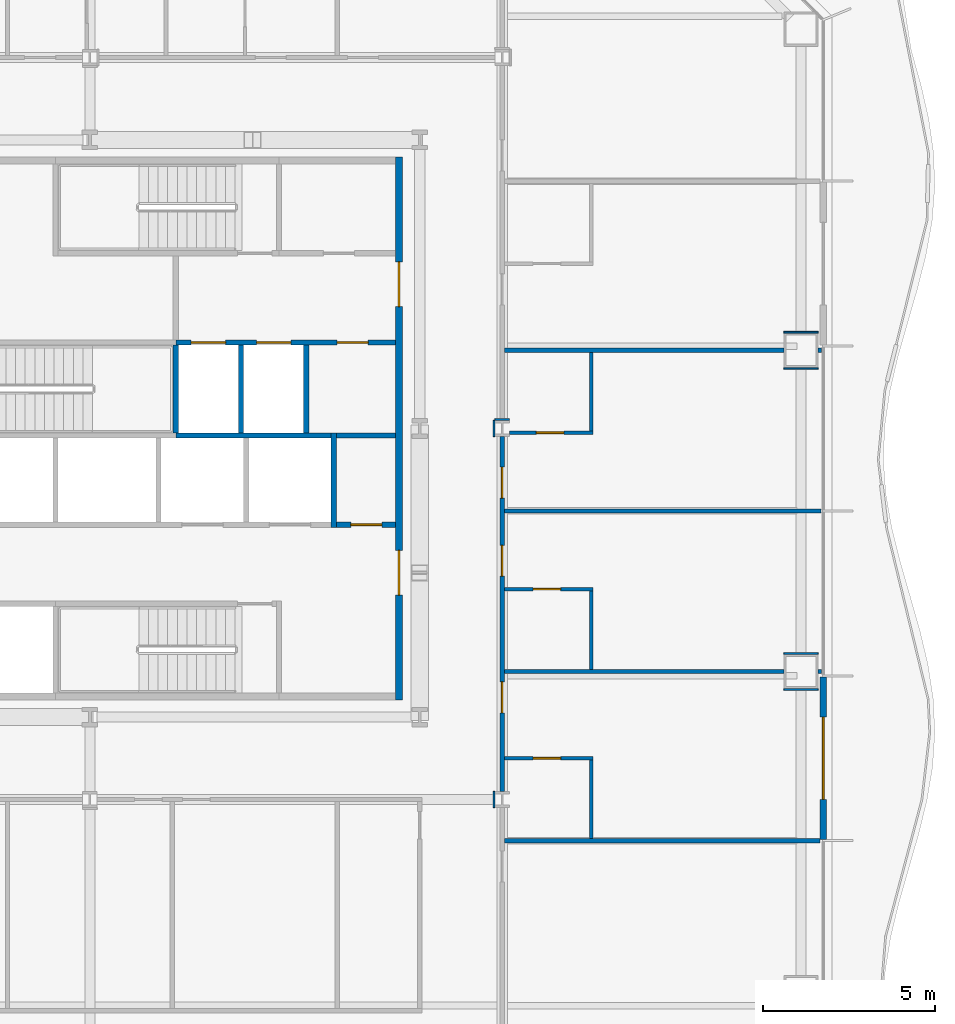
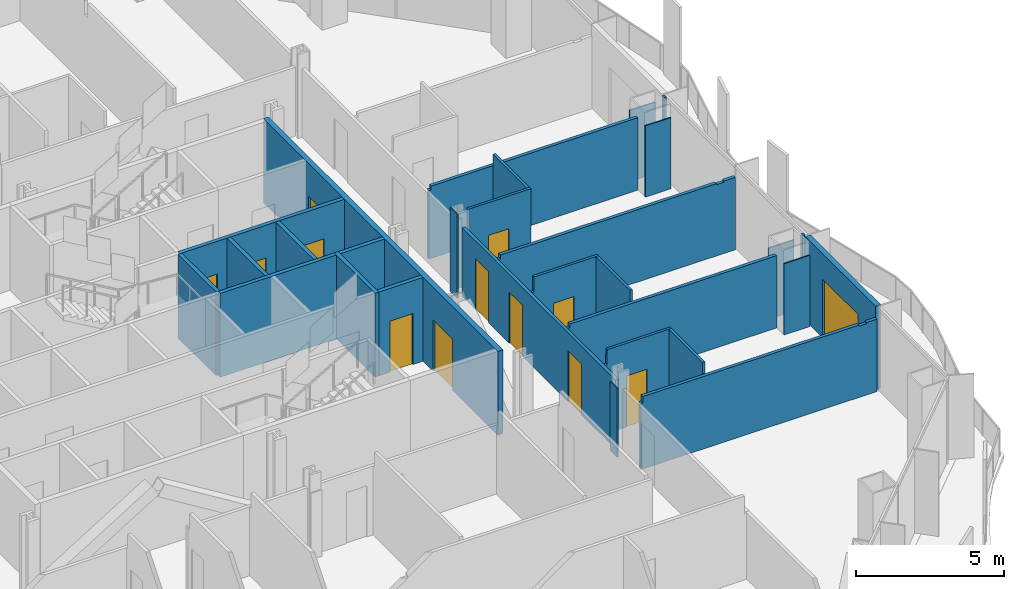
# One storey, part 11 of 21: 30 walls, 13 doors, 13 openings.
"""IFC4 building model written with IfcOpenShell, lengths in metres."""

from ifc_helpers import new_model, si_unit, direction, frame, frame_2d, origin, place, context, subcontext, project, spatial, polyline, rectangle, outline, extrude, material, layer, layer_set, type_object, element, fill, save


model = new_model("IFC4")

# Units and contexts
model_context = context("Model", 3, precision=1e-05, world=origin(), true_north=direction((0.0, 1.0)))
body_context = subcontext(model_context, "Body", "Model", "MODEL_VIEW")
ifc_project = project(units=[si_unit("LENGTHUNIT", "METRE"), si_unit("AREAUNIT", "SQUARE_METRE"), si_unit("VOLUMEUNIT", "CUBIC_METRE"), si_unit("PLANEANGLEUNIT", "RADIAN"), si_unit("MASSUNIT", "GRAM", prefix="KILO")], contexts=[model_context])

# Site, building, storey
site_placement = place(None, origin())
site = spatial("IfcSite", under=ifc_project, at=site_placement, CompositionType="ELEMENT")
building_placement = place(site_placement, origin())
building = spatial("IfcBuilding", under=site, at=building_placement, Name="Cairn Pilgrim Tower", CompositionType="ELEMENT")
storey_placement = place(building_placement, frame((0.0, 0.0, 58.199951171875)))
storey = spatial("IfcBuildingStorey", under=building, at=storey_placement, Name="L12", CompositionType="ELEMENT", Elevation=58.199951171875)

# Wall, opening, door
ifc_material_1 = material(Name="Bronze anodised aluminium insulated sandwich panel with mineral wool fill", Category="aluminium")
ifc_layer_1 = layer(ifc_material_1, 0.199951171875)
ifc_layer_set_1 = layer_set([ifc_layer_1], Name="BRONZE INFILL FRAME WALL 200")
wall_type_1 = type_object("IfcWallType", Name="BRONZE INFILL FRAME WALL 200", PredefinedType="NOTDEFINED", material=ifc_layer_set_1)
wall_1_placement = place(storey_placement, frame((28.550048828125, -9.570068359375, 0.0), z_axis=(0.0, 0.0, 1.0), x_axis=(0.0, 1.0, 0.0)))
wall_1 = element("IfcWall", 1, at=wall_1_placement, inside=storey, type_object=wall_type_1, Name="Bronze infill frame wall IW-E2", PredefinedType="NOTDEFINED", context=body_context, shape_type="SweptSolid", body=[
    extrude(rectangle(XDim=4.739990234375, YDim=0.199951171875, at=frame_2d((2.3701171875, 0.0))), origin(), (0.0, 0.0, 1.0), 3.449951171875),
])
opening_1_placement = place(wall_1_placement, frame((1.169921875, 0.0, 0.0)))
opening_1 = element("IfcOpeningElement", 2, at=opening_1_placement, cuts=wall_1, Name="Opening 1223B", PredefinedType="OPENING", context=body_context, shape_type="SweptSolid", body=[
    extrude(rectangle(XDim=2.39990234375, YDim=2.39990234375, at=frame_2d((1.199951171875, 1.199951171875))), frame((0.0, 0.10986328125, 0.0), z_axis=(0.0, -1.0, 0.0), x_axis=(1.0, 0.0, 0.0)), (0.0, 0.0, 1.0), 0.219970703125),
])
ifc_material_2 = material(Name="Bronze anodised aluminium frame with tinted low-E glass", Category="aluminium")
door_type_1 = type_object("IfcDoorType", Name="BALCONY SLIDING DOOR 2400x2400", OperationType="DOUBLE_DOOR_SLIDING", PredefinedType="DOOR", material=ifc_material_2)
door_1_placement = place(opening_1_placement, origin())
door_1 = element("IfcDoor", 3, at=door_1_placement, inside=storey, type_object=door_type_1, Name="Balcony sliding door 1223B", OperationType="SINGLE_SWING_LEFT", OverallHeight=2.39990234375, OverallWidth=2.39990234375, PredefinedType="DOOR", context=body_context, shape_type="SweptSolid", body=[
    extrude(rectangle(XDim=2.39990234375, YDim=2.39990234375, at=frame_2d((1.199951171875, 1.199951171875))), frame((0.0, 0.02490234375, 0.0), z_axis=(0.0, -1.0, 0.0), x_axis=(1.0, 0.0, 0.0)), (0.0, 0.0, 1.0), 0.050048828125),
])
fill(opening_1, door_1)

# Wall, openings, doors
ifc_material_3 = material(Name="Concrete C32/40", Category="concrete")
ifc_layer_2 = layer(ifc_material_3, 0.199951171875)
ifc_layer_set_2 = layer_set([ifc_layer_2], Name="CORE OUTER WALL 200 EI 120")
wall_type_2 = type_object("IfcWallType", Name="CORE OUTER WALL 200 EI 120", PredefinedType="SOLIDWALL", material=ifc_layer_set_2)
wall_2_placement = place(storey_placement, frame((16.199951171875, -5.5, 0.0), z_axis=(0.0, 0.0, 1.0), x_axis=(0.0, 1.0, 0.0)))
wall_2 = element("IfcWall", 4, at=wall_2_placement, inside=storey, type_object=wall_type_2, Name="CW:L12:V32", PredefinedType="SOLIDWALL", context=body_context, shape_type="SweptSolid", body=[
    extrude(rectangle(XDim=15.800048828125, YDim=0.199951171875, at=frame_2d((7.89990234375, 0.0))), origin(), (0.0, 0.0, 1.0), 3.449951171875),
])
opening_2_placement = place(wall_2_placement, frame((3.050048828125, 0.0, 0.0)))
opening_2 = element("IfcOpeningElement", 5, at=opening_2_placement, cuts=wall_2, Name="Opening CD-E1", PredefinedType="OPENING", context=body_context, shape_type="SweptSolid", body=[
    extrude(rectangle(XDim=1.300048828125, YDim=2.10009765625, at=frame_2d((0.64990234375, 1.050048828125))), frame((0.0, 0.10986328125, 0.0), z_axis=(0.0, -1.0, 0.0), x_axis=(1.0, 0.0, 0.0)), (0.0, 0.0, 1.0), 0.219970703125),
])
opening_3_placement = place(wall_2_placement, frame((11.449951171875, 0.0, 0.0)))
opening_3 = element("IfcOpeningElement", 6, at=opening_3_placement, cuts=wall_2, Name="Opening CD-E2", PredefinedType="OPENING", context=body_context, shape_type="SweptSolid", body=[
    extrude(rectangle(XDim=1.300048828125, YDim=2.10009765625, at=frame_2d((0.64990234375, 1.050048828125))), frame((0.0, 0.10986328125, 0.0), z_axis=(0.0, -1.0, 0.0), x_axis=(1.0, 0.0, 0.0)), (0.0, 0.0, 1.0), 0.219970703125),
])
ifc_material_4 = material(Name="Painted steel", Category="steel")
door_type_2 = type_object("IfcDoorType", Name="CORE LOBBY DOOR 1300x2100", OperationType="DOUBLE_DOOR_SINGLE_SWING", PredefinedType="DOOR", material=ifc_material_4)
door_2_placement = place(opening_2_placement, origin())
door_2 = element("IfcDoor", 7, at=door_2_placement, inside=storey, type_object=door_type_2, Name="CD-E1", OperationType="DOUBLE_DOOR_SINGLE_SWING", OverallHeight=2.10009765625, OverallWidth=1.300048828125, PredefinedType="DOOR", context=body_context, shape_type="SweptSolid", body=[
    extrude(rectangle(XDim=1.300048828125, YDim=2.10009765625, at=frame_2d((0.64990234375, 1.050048828125))), frame((0.0, 0.02490234375, 0.0), z_axis=(0.0, -1.0, 0.0), x_axis=(1.0, 0.0, 0.0)), (0.0, 0.0, 1.0), 0.050048828125),
])
fill(opening_2, door_2)
door_3_placement = place(opening_3_placement, origin())
door_3 = element("IfcDoor", 8, at=door_3_placement, inside=storey, type_object=door_type_2, Name="CD-E2", OperationType="DOUBLE_DOOR_SINGLE_SWING", OverallHeight=2.10009765625, OverallWidth=1.300048828125, PredefinedType="DOOR", context=body_context, shape_type="SweptSolid", body=[
    extrude(rectangle(XDim=1.300048828125, YDim=2.10009765625, at=frame_2d((0.64990234375, 1.050048828125))), frame((0.0, 0.02490234375, 0.0), z_axis=(0.0, -1.0, 0.0), x_axis=(1.0, 0.0, 0.0)), (0.0, 0.0, 1.0), 0.050048828125),
])
fill(opening_3, door_3)

# Wall, opening, door
ifc_layer_3 = layer(ifc_material_3, 0.14990234375)
ifc_layer_set_3 = layer_set([ifc_layer_3], Name="CORE PARTITION 150 EI 60")
wall_type_3 = type_object("IfcWallType", Name="CORE PARTITION 150 EI 60", PredefinedType="PARTITIONING", material=ifc_layer_set_3)
wall_3_placement = place(storey_placement, frame((14.375, -0.39990234375, 0.0), z_axis=(0.0, 0.0, 1.0), x_axis=(1.0, 0.0, 0.0)))
wall_3 = element("IfcWall", 9, at=wall_3_placement, inside=storey, type_object=wall_type_3, Name="CW:L12:H04", PredefinedType="PARTITIONING", context=body_context, shape_type="SweptSolid", body=[
    extrude(rectangle(XDim=1.72509765625, YDim=0.14990234375, at=frame_2d((0.862548828125, 0.0))), origin(), (0.0, 0.0, 1.0), 3.449951171875),
])
opening_4_placement = place(wall_3_placement, frame((0.425048828125, 0.0, 0.0)))
opening_4 = element("IfcOpeningElement", 10, at=opening_4_placement, cuts=wall_3, Name="Opening RD-R2E", PredefinedType="OPENING", context=body_context, shape_type="SweptSolid", body=[
    extrude(rectangle(XDim=0.89990234375, YDim=2.10009765625, at=frame_2d((0.449951171875, 1.050048828125))), frame((0.0, 0.0849609375, 0.0), z_axis=(0.0, -1.0, 0.0), x_axis=(1.0, 0.0, 0.0)), (0.0, 0.0, 1.0), 0.169921875),
])
door_type_3 = type_object("IfcDoorType", Name="SERVICE ROOM DOOR 900x2100", OperationType="SINGLE_SWING_LEFT", PredefinedType="DOOR", material=ifc_material_4)
door_4_placement = place(opening_4_placement, origin())
door_4 = element("IfcDoor", 11, at=door_4_placement, inside=storey, type_object=door_type_3, Name="RD-R2E", OperationType="SINGLE_SWING_RIGHT", OverallHeight=2.10009765625, OverallWidth=0.89990234375, PredefinedType="DOOR", context=body_context, shape_type="SweptSolid", body=[
    extrude(rectangle(XDim=0.89990234375, YDim=2.10009765625, at=frame_2d((0.449951171875, 1.050048828125))), frame((0.0, 0.02490234375, 0.0), z_axis=(0.0, -1.0, 0.0), x_axis=(1.0, 0.0, 0.0)), (0.0, 0.0, 1.0), 0.050048828125),
])
fill(opening_4, door_4)

# Walls
wall_4_placement = place(storey_placement, frame((14.375, 2.199951171875, 0.0), z_axis=(0.0, 0.0, 1.0), x_axis=(1.0, 0.0, 0.0)))
element("IfcWall", 12, at=wall_4_placement, inside=storey, type_object=wall_type_3, Name="CW:L12:H06", PredefinedType="PARTITIONING", context=body_context, shape_type="SweptSolid", body=[
    extrude(rectangle(XDim=1.72509765625, YDim=0.14990234375, at=frame_2d((0.862548828125, 0.0))), origin(), (0.0, 0.0, 1.0), 3.449951171875),
])
ifc_layer_4 = layer(ifc_material_3, 0.14990234375)
ifc_layer_set_4 = layer_set([ifc_layer_4], Name="CORE SHAFT WALL 150 EI 120")
wall_type_4 = type_object("IfcWallType", Name="CORE SHAFT WALL 150 EI 120", PredefinedType="SOLIDWALL", material=ifc_layer_set_4)
wall_5_placement = place(storey_placement, frame((9.699951171875, 2.199951171875, 0.0), z_axis=(0.0, 0.0, 1.0), x_axis=(1.0, 0.0, 0.0)))
element("IfcWall", 13, at=wall_5_placement, inside=storey, type_object=wall_type_4, Name="CW:L12:H05-3", PredefinedType="SOLIDWALL", context=body_context, shape_type="SweptSolid", body=[
    extrude(rectangle(XDim=4.525146484375, YDim=0.14990234375, at=frame_2d((2.2626953125, 0.0))), origin(), (0.0, 0.0, 1.0), 3.449951171875),
])

# Wall, openings, doors
wall_6_placement = place(storey_placement, frame((9.699951171875, 4.89990234375, 0.0), z_axis=(0.0, 0.0, 1.0), x_axis=(1.0, 0.0, 0.0)))
wall_6 = element("IfcWall", 14, at=wall_6_placement, inside=storey, type_object=wall_type_4, Name="CW:L12:H08-2", PredefinedType="SOLIDWALL", context=body_context, shape_type="SweptSolid", body=[
    extrude(rectangle(XDim=6.400146484375, YDim=0.14990234375, at=frame_2d((3.2001953125, 0.0))), origin(), (0.0, 0.0, 1.0), 3.449951171875),
])
opening_5_placement = place(wall_6_placement, frame((0.449951171875, 0.0, 0.0)))
opening_5 = element("IfcOpeningElement", 15, at=opening_5_placement, cuts=wall_6, Name="Opening LD-FF1", PredefinedType="OPENING", context=body_context, shape_type="SweptSolid", body=[
    extrude(rectangle(XDim=1.0, YDim=2.10009765625, at=frame_2d((0.5, 1.050048828125))), frame((0.0, 0.0849609375, 0.0), z_axis=(0.0, -1.0, 0.0), x_axis=(1.0, 0.0, 0.0)), (0.0, 0.0, 1.0), 0.169921875),
])
opening_6_placement = place(wall_6_placement, frame((2.35009765625, 0.0, 0.0)))
opening_6 = element("IfcOpeningElement", 16, at=opening_6_placement, cuts=wall_6, Name="Opening LD-FF2", PredefinedType="OPENING", context=body_context, shape_type="SweptSolid", body=[
    extrude(rectangle(XDim=1.0, YDim=2.10009765625, at=frame_2d((0.5, 1.050048828125))), frame((0.0, 0.0849609375, 0.0), z_axis=(0.0, -1.0, 0.0), x_axis=(1.0, 0.0, 0.0)), (0.0, 0.0, 1.0), 0.169921875),
])
opening_7_placement = place(wall_6_placement, frame((4.699951171875, 0.0, 0.0)))
opening_7 = element("IfcOpeningElement", 17, at=opening_7_placement, cuts=wall_6, Name="Opening RD-R3E", PredefinedType="OPENING", context=body_context, shape_type="SweptSolid", body=[
    extrude(rectangle(XDim=0.89990234375, YDim=2.10009765625, at=frame_2d((0.449951171875, 1.050048828125))), frame((0.0, 0.0849609375, 0.0), z_axis=(0.0, -1.0, 0.0), x_axis=(1.0, 0.0, 0.0)), (0.0, 0.0, 1.0), 0.169921875),
])
ifc_material_5 = material(Name="Stainless steel", Category="steel")
door_type_4 = type_object("IfcDoorType", Name="LIFT LANDING DOOR FIRE 1000x2100", OperationType="DOUBLE_DOOR_SLIDING", PredefinedType="DOOR", material=ifc_material_5)
door_5_placement = place(opening_5_placement, origin())
door_5 = element("IfcDoor", 18, at=door_5_placement, inside=storey, type_object=door_type_4, Name="LANDING DOOR FF1", OperationType="DOUBLE_DOOR_SLIDING", OverallHeight=2.10009765625, OverallWidth=1.0, PredefinedType="DOOR", context=body_context, shape_type="SweptSolid", body=[
    extrude(rectangle(XDim=1.0, YDim=2.10009765625, at=frame_2d((0.5, 1.050048828125))), frame((0.0, 0.02490234375, 0.0), z_axis=(0.0, -1.0, 0.0), x_axis=(1.0, 0.0, 0.0)), (0.0, 0.0, 1.0), 0.050048828125),
])
fill(opening_5, door_5)
door_6_placement = place(opening_6_placement, origin())
door_6 = element("IfcDoor", 19, at=door_6_placement, inside=storey, type_object=door_type_4, Name="LANDING DOOR FF2", OperationType="DOUBLE_DOOR_SLIDING", OverallHeight=2.10009765625, OverallWidth=1.0, PredefinedType="DOOR", context=body_context, shape_type="SweptSolid", body=[
    extrude(rectangle(XDim=1.0, YDim=2.10009765625, at=frame_2d((0.5, 1.050048828125))), frame((0.0, 0.02490234375, 0.0), z_axis=(0.0, -1.0, 0.0), x_axis=(1.0, 0.0, 0.0)), (0.0, 0.0, 1.0), 0.050048828125),
])
fill(opening_6, door_6)
door_7_placement = place(opening_7_placement, origin())
door_7 = element("IfcDoor", 20, at=door_7_placement, inside=storey, type_object=door_type_3, Name="RD-R3E", OperationType="SINGLE_SWING_LEFT", OverallHeight=2.10009765625, OverallWidth=0.89990234375, PredefinedType="DOOR", context=body_context, shape_type="SweptSolid", body=[
    extrude(rectangle(XDim=0.89990234375, YDim=2.10009765625, at=frame_2d((0.449951171875, 1.050048828125))), frame((0.0, 0.02490234375, 0.0), z_axis=(0.0, -1.0, 0.0), x_axis=(1.0, 0.0, 0.0)), (0.0, 0.0, 1.0), 0.050048828125),
])
fill(opening_7, door_7)

# Walls
for number, where, z_axis, x_axis, name in (
    (21, (11.60009765625, 2.27490234375, 0.0), (0.0, 0.0, 1.0), (0.0, 1.0, 0.0), "CW:L12:V26"),
    (22, (13.5, 2.27490234375, 0.0), (0.0, 0.0, 1.0), (0.0, 1.0, 0.0), "CW:L12:V30"),
):
    element("IfcWall", number, at=place(storey_placement, frame(where, z_axis=z_axis, x_axis=x_axis)), inside=storey, type_object=wall_type_4, Name=name, PredefinedType="SOLIDWALL", context=body_context, shape_type="SweptSolid", body=[
        extrude(rectangle(XDim=2.550048828125, YDim=0.14990234375, at=frame_2d((1.27490234375, 0.0))), origin(), (0.0, 0.0, 1.0), 3.449951171875),
    ])
wall_7_placement = place(storey_placement, frame((14.300048828125, -0.47509765625, 0.0), z_axis=(0.0, 0.0, 1.0), x_axis=(0.0, 1.0, 0.0)))
element("IfcWall", 23, at=wall_7_placement, inside=storey, type_object=wall_type_4, Name="CW:L12:V31", PredefinedType="SOLIDWALL", context=body_context, shape_type="SweptSolid", body=[
    extrude(rectangle(XDim=2.75, YDim=0.14990234375, at=frame_2d((1.375, 0.0))), origin(), (0.0, 0.0, 1.0), 3.449951171875),
])
ifc_material_6 = material(Name="Gypsum partition")
ifc_layer_5 = layer(ifc_material_6, 0.10009765625)
ifc_layer_set_5 = layer_set([ifc_layer_5], Name="PARTITION 100 DRYWALL")
wall_type_5 = type_object("IfcWallType", Name="PARTITION 100 DRYWALL", PredefinedType="PARTITIONING", material=ifc_layer_set_5)
wall_8_placement = place(storey_placement, frame((21.800048828125, -9.53759765625, 0.0), z_axis=(0.0, 0.0, 1.0), x_axis=(0.0, 1.0, 0.0)))
element("IfcWall", 24, at=wall_8_placement, inside=storey, type_object=wall_type_5, Name="PARTITION W029", PredefinedType="PARTITIONING", context=body_context, shape_type="SweptSolid", body=[
    extrude(outline(polyline([(0.0, 0.0), (2.28759765625, 0.0), (2.28759765625, 3.449951171875), (0.032470703125, 3.449951171875), (0.030517578125, 2.97998046875), (0.0, 2.97998046875), (0.0, 0.0)])), frame((0.0, 0.050048828125, 0.0), z_axis=(0.0, -1.0, 0.0), x_axis=(1.0, 0.0, 0.0)), (0.0, 0.0, 1.0), 0.10009765625),
])

# Wall, opening, door
wall_9_placement = place(storey_placement, frame((19.262451171875, -7.199951171875, 0.0), z_axis=(0.0, 0.0, 1.0), x_axis=(1.0, 0.0, 0.0)))
wall_9 = element("IfcWall", 25, at=wall_9_placement, inside=storey, type_object=wall_type_5, Name="PARTITION W036", PredefinedType="PARTITIONING", context=body_context, shape_type="SweptSolid", body=[
    extrude(outline(polyline([(0.0, 0.0), (2.587646484375, 0.0), (2.58740234375, 3.449951171875), (0.08740234375, 3.449951171875), (0.08544921875, 2.830078125), (0.0, 2.830078125), (0.0, 0.0)])), frame((0.0, 0.050048828125, 0.0), z_axis=(0.0, -1.0, 0.0), x_axis=(1.0, 0.0, 0.0)), (0.0, 0.0, 1.0), 0.10009765625),
])
opening_8_placement = place(wall_9_placement, frame((0.83740234375, 0.0, 0.0)))
opening_8 = element("IfcOpeningElement", 26, at=opening_8_placement, cuts=wall_9, Name="Opening 1223E", PredefinedType="OPENING", context=body_context, shape_type="SweptSolid", body=[
    extrude(rectangle(XDim=0.800048828125, YDim=2.10009765625, at=frame_2d((0.39990234375, 1.050048828125))), frame((0.0, 0.06005859375, 0.0), z_axis=(0.0, -1.0, 0.0), x_axis=(1.0, 0.0, 0.0)), (0.0, 0.0, 1.0), 0.1201171875),
])
ifc_material_7 = material(Name="Timber door leaf", Category="wood")
door_type_5 = type_object("IfcDoorType", Name="DOOR 800x2100", OperationType="NOTDEFINED", PredefinedType="DOOR", material=ifc_material_7)
door_8_placement = place(opening_8_placement, frame((0.800048828125, 0.0, 0.0), z_axis=(0.0, 0.0, 1.0), x_axis=(-1.0, 0.0, 0.0)))
door_8 = element("IfcDoor", 27, at=door_8_placement, inside=storey, type_object=door_type_5, Name="DOOR 1223E", OperationType="SINGLE_SWING_LEFT", OverallHeight=2.10009765625, OverallWidth=0.800048828125, PredefinedType="DOOR", context=body_context, shape_type="SweptSolid", body=[
    extrude(rectangle(XDim=0.800048828125, YDim=2.10009765625, at=frame_2d((0.39990234375, 1.050048828125))), frame((0.0, 0.02490234375, 0.0), z_axis=(0.0, -1.0, 0.0), x_axis=(1.0, 0.0, 0.0)), (0.0, 0.0, 1.0), 0.050048828125),
])
fill(opening_8, door_8)

# Wall
wall_10_placement = place(storey_placement, frame((21.800048828125, -4.613525390625, 0.0), z_axis=(0.0, 0.0, 1.0), x_axis=(0.0, 1.0, 0.0)))
element("IfcWall", 28, at=wall_10_placement, inside=storey, type_object=wall_type_5, Name="PARTITION W042", PredefinedType="PARTITIONING", context=body_context, shape_type="SweptSolid", body=[
    extrude(rectangle(XDim=2.28759765625, YDim=0.10009765625, at=frame_2d((1.143798828125, 0.0))), origin(), (0.0, 0.0, 1.0), 3.449951171875),
])

# Wall, opening, door
wall_11_placement = place(storey_placement, frame((19.262451171875, -2.27587890625, 0.0), z_axis=(0.0, 0.0, 1.0), x_axis=(1.0, 0.0, 0.0)))
wall_11 = element("IfcWall", 29, at=wall_11_placement, inside=storey, type_object=wall_type_5, Name="PARTITION W043", PredefinedType="PARTITIONING", context=body_context, shape_type="SweptSolid", body=[
    extrude(outline(polyline([(0.0, 0.0), (2.587646484375, 0.0), (2.58740234375, 3.449951171875), (0.08740234375, 3.449951171875), (0.08544921875, 2.830078125), (0.0, 2.830078125), (0.0, 0.0)])), frame((0.0, 0.050048828125, 0.0), z_axis=(0.0, -1.0, 0.0), x_axis=(1.0, 0.0, 0.0)), (0.0, 0.0, 1.0), 0.10009765625),
])
opening_9_placement = place(wall_11_placement, frame((0.83740234375, 0.0, 0.0)))
opening_9 = element("IfcOpeningElement", 30, at=opening_9_placement, cuts=wall_11, Name="Opening 1224E", PredefinedType="OPENING", context=body_context, shape_type="SweptSolid", body=[
    extrude(rectangle(XDim=0.800048828125, YDim=2.10009765625, at=frame_2d((0.39990234375, 1.050048828125))), frame((0.0, 0.06005859375, 0.0), z_axis=(0.0, -1.0, 0.0), x_axis=(1.0, 0.0, 0.0)), (0.0, 0.0, 1.0), 0.1201171875),
])
door_9_placement = place(opening_9_placement, frame((0.800048828125, 0.0, 0.0), z_axis=(0.0, 0.0, 1.0), x_axis=(-1.0, 0.0, 0.0)))
door_9 = element("IfcDoor", 31, at=door_9_placement, inside=storey, type_object=door_type_5, Name="DOOR 1224E", OperationType="SINGLE_SWING_LEFT", OverallHeight=2.10009765625, OverallWidth=0.800048828125, PredefinedType="DOOR", context=body_context, shape_type="SweptSolid", body=[
    extrude(rectangle(XDim=0.800048828125, YDim=2.10009765625, at=frame_2d((0.39990234375, 1.050048828125))), frame((0.0, 0.02490234375, 0.0), z_axis=(0.0, -1.0, 0.0), x_axis=(1.0, 0.0, 0.0)), (0.0, 0.0, 1.0), 0.050048828125),
])
fill(opening_9, door_9)

wall_12_placement = place(storey_placement, frame((19.412109375, 2.27587890625, 0.0), z_axis=(0.0, 0.0, 1.0), x_axis=(1.0, 0.0, 0.0)))
wall_12 = element("IfcWall", 32, at=wall_12_placement, inside=storey, type_object=wall_type_5, Name="PARTITION W048", PredefinedType="PARTITIONING", context=body_context, shape_type="SweptSolid", body=[
    extrude(rectangle(XDim=2.43798828125, YDim=0.10009765625, at=frame_2d((1.218994140625, 0.0))), origin(), (0.0, 0.0, 1.0), 3.449951171875),
])
opening_10_placement = place(wall_12_placement, frame((0.7880859375, 0.0, 0.0)))
opening_10 = element("IfcOpeningElement", 33, at=opening_10_placement, cuts=wall_12, Name="Opening 1225E", PredefinedType="OPENING", context=body_context, shape_type="SweptSolid", body=[
    extrude(rectangle(XDim=0.800048828125, YDim=2.10009765625, at=frame_2d((0.39990234375, 1.050048828125))), frame((0.0, 0.06005859375, 0.0), z_axis=(0.0, -1.0, 0.0), x_axis=(1.0, 0.0, 0.0)), (0.0, 0.0, 1.0), 0.1201171875),
])
door_10_placement = place(opening_10_placement, origin())
door_10 = element("IfcDoor", 34, at=door_10_placement, inside=storey, type_object=door_type_5, Name="DOOR 1225E", OperationType="SINGLE_SWING_LEFT", OverallHeight=2.10009765625, OverallWidth=0.800048828125, PredefinedType="DOOR", context=body_context, shape_type="SweptSolid", body=[
    extrude(rectangle(XDim=0.800048828125, YDim=2.10009765625, at=frame_2d((0.39990234375, 1.050048828125))), frame((0.0, 0.02490234375, 0.0), z_axis=(0.0, -1.0, 0.0), x_axis=(1.0, 0.0, 0.0)), (0.0, 0.0, 1.0), 0.050048828125),
])
fill(opening_10, door_10)

# Walls
wall_13_placement = place(storey_placement, frame((21.800048828125, 2.325927734375, 0.0), z_axis=(0.0, 0.0, 1.0), x_axis=(0.0, 1.0, 0.0)))
element("IfcWall", 35, at=wall_13_placement, inside=storey, type_object=wall_type_5, Name="PARTITION W049", PredefinedType="PARTITIONING", context=body_context, shape_type="SweptSolid", body=[
    extrude(rectangle(XDim=2.28759765625, YDim=0.10009765625, at=frame_2d((1.143798828125, 0.0))), origin(), (0.0, 0.0, 1.0), 3.449951171875),
])
ifc_layer_6 = layer(ifc_material_6, 0.125)
ifc_layer_set_6 = layer_set([ifc_layer_6], Name="PARTITION 125 DRYWALL EI 60")
wall_type_6 = type_object("IfcWallType", Name="PARTITION 125 DRYWALL EI 60", PredefinedType="PARTITIONING", material=ifc_layer_set_6)
wall_14_placement = place(storey_placement, frame((19.262451171875, -9.60009765625, 0.0), z_axis=(0.0, 0.0, 1.0), x_axis=(1.0, 0.0, 0.0)))
element("IfcWall", 36, at=wall_14_placement, inside=storey, type_object=wall_type_6, Name="PARTITION W028", PredefinedType="PARTITIONING", context=body_context, shape_type="SweptSolid", body=[
    extrude(outline(polyline([(0.0, 0.0), (9.1875, 0.0), (9.1875, 2.97998046875), (8.78759765625, 2.97998046875), (8.785400390625, 2.929931640625), (8.487548828125, 2.929931640625), (8.485595703125, 2.97998046875), (0.08740234375, 2.97998046875), (0.08544921875, 2.72998046875), (0.0, 2.72998046875), (0.0, 0.0)])), frame((0.0, 0.0625, 0.0), z_axis=(0.0, -1.0, 0.0), x_axis=(1.0, 0.0, 0.0)), (0.0, 0.0, 1.0), 0.125),
])

# Wall, openings, doors
wall_15_placement = place(storey_placement, frame((19.199951171875, -8.1630859375, 0.0), z_axis=(0.0, 0.0, 1.0), x_axis=(0.0, 1.0, 0.0)))
wall_15 = element("IfcWall", 37, at=wall_15_placement, inside=storey, type_object=wall_type_6, Name="PARTITION W035", PredefinedType="PARTITIONING", context=body_context, shape_type="SweptSolid", body=[
    extrude(rectangle(XDim=10.326171875, YDim=0.125, at=frame_2d((5.1630859375, 0.0))), origin(), (0.0, 0.0, 1.0), 2.830078125),
])
opening_11_placement = place(wall_15_placement, frame((2.287109375, 0.0, 0.0)))
opening_11 = element("IfcOpeningElement", 38, at=opening_11_placement, cuts=wall_15, Name="Opening 1223", PredefinedType="OPENING", context=body_context, shape_type="SweptSolid", body=[
    extrude(rectangle(XDim=0.89990234375, YDim=2.10009765625, at=frame_2d((0.449951171875, 1.050048828125))), frame((0.0, 0.072509765625, 0.0), z_axis=(0.0, -1.0, 0.0), x_axis=(1.0, 0.0, 0.0)), (0.0, 0.0, 1.0), 0.14501953125),
])
opening_12_placement = place(wall_15_placement, frame((6.262939453125, 0.0, 0.0)))
opening_12 = element("IfcOpeningElement", 39, at=opening_12_placement, cuts=wall_15, Name="Opening 1224", PredefinedType="OPENING", context=body_context, shape_type="SweptSolid", body=[
    extrude(rectangle(XDim=0.89990234375, YDim=2.10009765625, at=frame_2d((0.449951171875, 1.050048828125))), frame((0.0, 0.072509765625, 0.0), z_axis=(0.0, -1.0, 0.0), x_axis=(1.0, 0.0, 0.0)), (0.0, 0.0, 1.0), 0.14501953125),
])
opening_13_placement = place(wall_15_placement, frame((8.5390625, 0.0, 0.0)))
opening_13 = element("IfcOpeningElement", 40, at=opening_13_placement, cuts=wall_15, Name="Opening 1225", PredefinedType="OPENING", context=body_context, shape_type="SweptSolid", body=[
    extrude(rectangle(XDim=0.89990234375, YDim=2.10009765625, at=frame_2d((0.449951171875, 1.050048828125))), frame((0.0, 0.072509765625, 0.0), z_axis=(0.0, -1.0, 0.0), x_axis=(1.0, 0.0, 0.0)), (0.0, 0.0, 1.0), 0.14501953125),
])
ifc_material_8 = material(Name="Steel-faced fire door leaf", Category="steel")
door_type_6 = type_object("IfcDoorType", Name="FIRE DOOR 900x2100 FD30S", OperationType="NOTDEFINED", PredefinedType="DOOR", material=ifc_material_8)
door_11_placement = place(opening_11_placement, frame((0.89990234375, 0.0, 0.0), z_axis=(0.0, 0.0, 1.0), x_axis=(-1.0, 0.0, 0.0)))
door_11 = element("IfcDoor", 41, at=door_11_placement, inside=storey, type_object=door_type_6, Name="DOOR 1223", OperationType="SINGLE_SWING_RIGHT", OverallHeight=2.10009765625, OverallWidth=0.89990234375, PredefinedType="DOOR", context=body_context, shape_type="SweptSolid", body=[
    extrude(rectangle(XDim=0.89990234375, YDim=2.10009765625, at=frame_2d((0.449951171875, 1.050048828125))), frame((0.0, 0.02490234375, 0.0), z_axis=(0.0, -1.0, 0.0), x_axis=(1.0, 0.0, 0.0)), (0.0, 0.0, 1.0), 0.050048828125),
])
fill(opening_11, door_11)
door_12_placement = place(opening_12_placement, frame((0.89990234375, 0.0, 0.0), z_axis=(0.0, 0.0, 1.0), x_axis=(-1.0, 0.0, 0.0)))
door_12 = element("IfcDoor", 42, at=door_12_placement, inside=storey, type_object=door_type_6, Name="DOOR 1224", OperationType="SINGLE_SWING_RIGHT", OverallHeight=2.10009765625, OverallWidth=0.89990234375, PredefinedType="DOOR", context=body_context, shape_type="SweptSolid", body=[
    extrude(rectangle(XDim=0.89990234375, YDim=2.10009765625, at=frame_2d((0.449951171875, 1.050048828125))), frame((0.0, 0.02490234375, 0.0), z_axis=(0.0, -1.0, 0.0), x_axis=(1.0, 0.0, 0.0)), (0.0, 0.0, 1.0), 0.050048828125),
])
fill(opening_12, door_12)
door_13_placement = place(opening_13_placement, frame((0.89990234375, 0.0, 0.0), z_axis=(0.0, 0.0, 1.0), x_axis=(-1.0, 0.0, 0.0)))
door_13 = element("IfcDoor", 43, at=door_13_placement, inside=storey, type_object=door_type_6, Name="DOOR 1225", OperationType="SINGLE_SWING_RIGHT", OverallHeight=2.10009765625, OverallWidth=0.89990234375, PredefinedType="DOOR", context=body_context, shape_type="SweptSolid", body=[
    extrude(rectangle(XDim=0.89990234375, YDim=2.10009765625, at=frame_2d((0.449951171875, 1.050048828125))), frame((0.0, 0.02490234375, 0.0), z_axis=(0.0, -1.0, 0.0), x_axis=(1.0, 0.0, 0.0)), (0.0, 0.0, 1.0), 0.050048828125),
])
fill(opening_13, door_13)

# Walls
wall_16_placement = place(storey_placement, frame((19.262451171875, -4.676025390625, 0.0), z_axis=(0.0, 0.0, 1.0), x_axis=(1.0, 0.0, 0.0)))
element("IfcWall", 44, at=wall_16_placement, inside=storey, type_object=wall_type_6, Name="PARTITION W040", PredefinedType="PARTITIONING", context=body_context, shape_type="SweptSolid", body=[
    extrude(outline(polyline([(0.0, 0.0), (8.137451171875, 0.0), (8.137451171875, 2.97998046875), (0.08740234375, 2.97998046875), (0.08544921875, 2.830078125), (0.0, 2.830078125), (0.0, 0.0)])), frame((0.0, 0.0625, 0.0), z_axis=(0.0, -1.0, 0.0), x_axis=(1.0, 0.0, 0.0)), (0.0, 0.0, 1.0), 0.125),
])
wall_17_placement = place(storey_placement, frame((28.39990234375, -4.676025390625, 0.0), z_axis=(0.0, 0.0, 1.0), x_axis=(1.0, 0.0, 0.0)))
element("IfcWall", 45, at=wall_17_placement, inside=storey, type_object=wall_type_6, Name="PARTITION W041", PredefinedType="PARTITIONING", context=body_context, shape_type="SweptSolid", body=[
    extrude(rectangle(XDim=0.10302734375, YDim=0.125, at=frame_2d((0.051513671875, 0.0))), origin(), (0.0, 0.0, 1.0), 3.449951171875),
])
wall_18_placement = place(storey_placement, frame((19.262451171875, 0.0, 0.0), z_axis=(0.0, 0.0, 1.0), x_axis=(1.0, 0.0, 0.0)))
element("IfcWall", 46, at=wall_18_placement, inside=storey, type_object=wall_type_6, Name="PARTITION W047", PredefinedType="PARTITIONING", context=body_context, shape_type="SweptSolid", body=[
    extrude(outline(polyline([(0.0, 0.0), (9.2275390625, 0.0), (9.2275390625, 2.97998046875), (8.78759765625, 2.97998046875), (8.785400390625, 2.929931640625), (8.487548828125, 2.929931640625), (8.485595703125, 2.97998046875), (0.08740234375, 2.97998046875), (0.08544921875, 2.830078125), (0.0, 2.830078125), (0.0, 0.0)])), frame((0.0, 0.0625, 0.0), z_axis=(0.0, -1.0, 0.0), x_axis=(1.0, 0.0, 0.0)), (0.0, 0.0, 1.0), 0.125),
])
wall_19_placement = place(storey_placement, frame((19.262451171875, 4.676025390625, 0.0), z_axis=(0.0, 0.0, 1.0), x_axis=(1.0, 0.0, 0.0)))
element("IfcWall", 47, at=wall_19_placement, inside=storey, type_object=wall_type_6, Name="PARTITION W057", PredefinedType="PARTITIONING", context=body_context, shape_type="SweptSolid", body=[
    extrude(outline(polyline([(0.0, 0.0), (8.137451171875, 0.0), (8.137451171875, 2.97998046875), (0.08740234375, 2.97998046875), (0.08544921875, 2.830078125), (0.0, 2.830078125), (0.0, 0.0)])), frame((0.0, 0.0625, 0.0), z_axis=(0.0, -1.0, 0.0), x_axis=(1.0, 0.0, 0.0)), (0.0, 0.0, 1.0), 0.125),
])
wall_20_placement = place(storey_placement, frame((28.39990234375, 4.676025390625, 0.0), z_axis=(0.0, 0.0, 1.0), x_axis=(1.0, 0.0, 0.0)))
element("IfcWall", 48, at=wall_20_placement, inside=storey, type_object=wall_type_6, Name="PARTITION W058", PredefinedType="PARTITIONING", context=body_context, shape_type="SweptSolid", body=[
    extrude(rectangle(XDim=0.10302734375, YDim=0.125, at=frame_2d((0.051513671875, 0.0))), origin(), (0.0, 0.0, 1.0), 3.449951171875),
])
ifc_layer_7 = layer(ifc_material_6, 0.050048828125)
ifc_layer_set_7 = layer_set([ifc_layer_7], Name="PARTITION 50 DRYWALL")
wall_type_7 = type_object("IfcWallType", Name="PARTITION 50 DRYWALL", PredefinedType="PARTITIONING", material=ifc_layer_set_7)
wall_21_placement = place(storey_placement, frame((18.988037109375, 2.662109375, 0.0), z_axis=(0.0, 0.0, 1.0), x_axis=(1.0, 0.0, 0.0)))
element("IfcWall", 49, at=wall_21_placement, inside=storey, type_object=wall_type_7, Name="COLUMN CASING WC22", PredefinedType="PARTITIONING", context=body_context, shape_type="SweptSolid", body=[
    extrude(rectangle(XDim=0.424072265625, YDim=0.050048828125, at=frame_2d((0.2119140625, 0.0))), origin(), (0.0, 0.0, 1.0), 2.830078125),
])
ifc_layer_8 = layer(ifc_material_6, 0.050048828125)
ifc_layer_set_8 = layer_set([ifc_layer_8], Name="PARTITION 50 DRYWALL EI 60")
wall_type_8 = type_object("IfcWallType", Name="PARTITION 50 DRYWALL EI 60", PredefinedType="PARTITIONING", material=ifc_layer_set_8)
wall_22_placement = place(storey_placement, frame((18.962890625, -8.636962890625, 0.0), z_axis=(0.0, 0.0, 1.0), x_axis=(0.0, 1.0, 0.0)))
element("IfcWall", 50, at=wall_22_placement, inside=storey, type_object=wall_type_8, Name="COLUMN CASING WC09", PredefinedType="PARTITIONING", context=body_context, shape_type="SweptSolid", body=[
    extrude(rectangle(XDim=0.473876953125, YDim=0.050048828125, at=frame_2d((0.23681640625, 0.0))), origin(), (0.0, 0.0, 1.0), 2.830078125),
])
wall_23_placement = place(storey_placement, frame((18.962890625, 2.1630859375, 0.0), z_axis=(0.0, 0.0, 1.0), x_axis=(0.0, 1.0, 0.0)))
element("IfcWall", 51, at=wall_23_placement, inside=storey, type_object=wall_type_8, Name="COLUMN CASING WC10", PredefinedType="PARTITIONING", context=body_context, shape_type="SweptSolid", body=[
    extrude(rectangle(XDim=0.473876953125, YDim=0.050048828125, at=frame_2d((0.23681640625, 0.0))), origin(), (0.0, 0.0, 1.0), 3.449951171875),
])
for number, where, z_axis, x_axis, name in (
    (52, (27.39990234375, -4.150634765625, 0.0), (0.0, 0.0, 1.0), (1.0, 0.0, 0.0), "COLUMN CASING WC19"),
    (53, (27.39990234375, -5.20068359375, 0.0), (0.0, 0.0, 1.0), (1.0, 0.0, 0.0), "COLUMN CASING WC20"),
    (54, (27.39990234375, 5.20068359375, 0.0), (0.0, 0.0, 1.0), (1.0, 0.0, 0.0), "COLUMN CASING WC28"),
    (55, (27.39990234375, 4.150634765625, 0.0), (0.0, 0.0, 1.0), (1.0, 0.0, 0.0), "COLUMN CASING WC29"),
):
    element("IfcWall", number, at=place(storey_placement, frame(where, z_axis=z_axis, x_axis=x_axis)), inside=storey, type_object=wall_type_8, Name=name, PredefinedType="PARTITIONING", context=body_context, shape_type="SweptSolid", body=[
        extrude(rectangle(XDim=1.0, YDim=0.050048828125, at=frame_2d((0.5, 0.0))), origin(), (0.0, 0.0, 1.0), 2.929931640625),
    ])
ifc_material_9 = material(Name="Concrete C35/45", Category="concrete")
ifc_layer_9 = layer(ifc_material_9, 0.14990234375)
ifc_layer_set_9 = layer_set([ifc_layer_9], Name="STAIR SHAFT WALL 150 EI 120")
wall_type_9 = type_object("IfcWallType", Name="STAIR SHAFT WALL 150 EI 120", PredefinedType="SOLIDWALL", material=ifc_layer_set_9)
wall_24_placement = place(storey_placement, frame((9.699951171875, 2.27490234375, 0.0), z_axis=(0.0, 0.0, 1.0), x_axis=(0.0, 1.0, 0.0)))
element("IfcWall", 56, at=wall_24_placement, inside=storey, type_object=wall_type_9, Name="CW:L12:V24", PredefinedType="SOLIDWALL", context=body_context, shape_type="SweptSolid", body=[
    extrude(rectangle(XDim=2.550048828125, YDim=0.14990234375, at=frame_2d((1.27490234375, 0.0))), origin(), (0.0, 0.0, 1.0), 3.449951171875),
])

save(model, "model.ifc")
